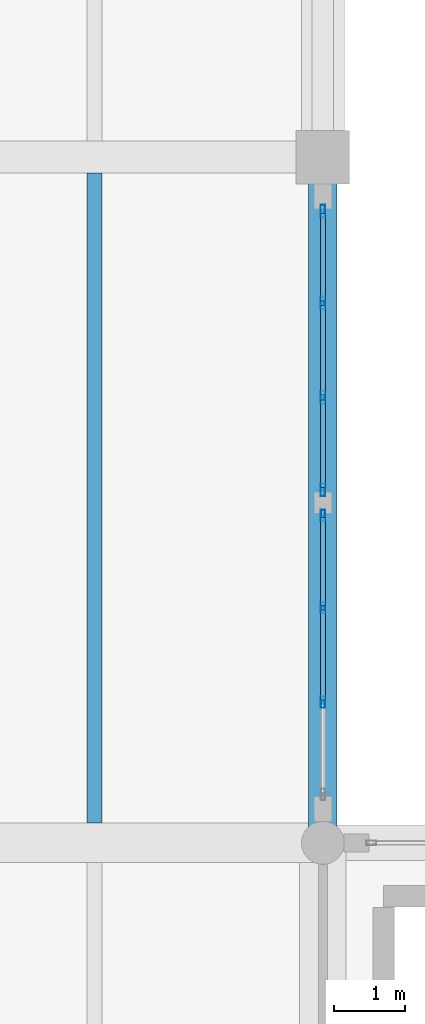
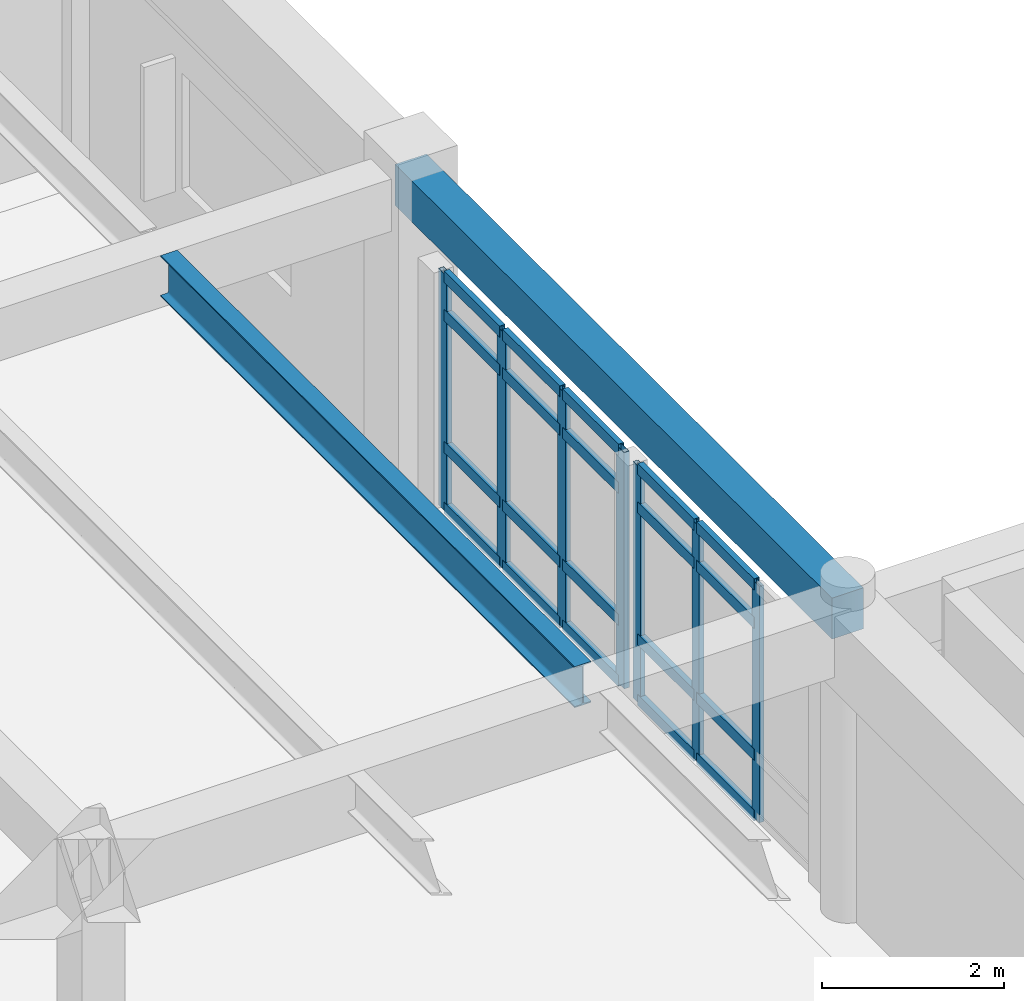
# One storey, part 12 of 109: 27 members, 2 beams, 2 elements without a shape of their own.
"""IFC4 building model written with IfcOpenShell, lengths in metres."""

from ifc_helpers import new_model, si_unit, direction, frame, origin, origin_2d, place, context, subcontext, project, spatial, rectangle, hollow_rectangle, i_section, extrude, material, layer, layer_set, material_profile, profile_set, type_object, element, aggregate, save


model = new_model("IFC4")

# Units and contexts
model_context = context("Model", 3, precision=1e-05, world=origin(), true_north=direction((0.0, 1.0)))
body_context = subcontext(model_context, "Body", "Model", "MODEL_VIEW")
ifc_project = project(units=[si_unit("LENGTHUNIT", "METRE"), si_unit("AREAUNIT", "SQUARE_METRE"), si_unit("VOLUMEUNIT", "CUBIC_METRE"), si_unit("PLANEANGLEUNIT", "RADIAN"), si_unit("MASSUNIT", "GRAM", prefix="KILO")], contexts=[model_context])

# Site, building, storey
site_placement = place(None, origin())
site = spatial("IfcSite", under=ifc_project, at=site_placement, CompositionType="ELEMENT")
building_placement = place(site_placement, origin())
building = spatial("IfcBuilding", under=site, at=building_placement, Name="Fikremerkos Civic Library", CompositionType="ELEMENT")
storey_placement = place(building_placement, frame((0.0, 0.0, 5.39990234375)))
storey = spatial("IfcBuildingStorey", under=building, at=storey_placement, Name="L01", CompositionType="ELEMENT", Elevation=5.39990234375)

# Curtain wall, members
ifc_material_1 = material(Name="Anodized aluminium Frame", Category="aluminium")
ifc_layer_1 = layer(ifc_material_1, 0.159912109375, Name="Anodized aluminium Frame")
ifc_layer_set_1 = layer_set([ifc_layer_1], Name="Anodized aluminium Frame")
curtain_wall_type_1 = type_object("IfcCurtainWallType", Name="Unitised curtain wall CW-01 3600x3600", PredefinedType="USERDEFINED", material=ifc_layer_set_1)
curtain_wall_1_placement = place(storey_placement, origin())
curtain_wall_1 = element("IfcCurtainWall", 1, at=curtain_wall_1_placement, inside=storey, type_object=curtain_wall_type_1, Name="Unitised curtain wall CW-01 L01 #73", ObjectType="UNITISED CURTAIN WALL", PredefinedType="USERDEFINED")
ifc_material_profile_1 = material_profile(ifc_material_1, hollow_rectangle(XDim=0.06494140625, YDim=0.179931640625, WallThickness=0.00439453125, at=origin_2d()), Name="ALU 180x65x4.5")
ifc_profile_set_1 = profile_set([ifc_material_profile_1], Name="Anodized aluminium Frame")
member_type_1 = type_object("IfcMemberType", Name="Curtain mullion CWM-01 ALU 180x65x4.5", PredefinedType="MULLION", material=ifc_profile_set_1)
member_1_placement = place(storey_placement, frame((19.199951171875, 40.04443359375, 0.0), z_axis=(0.0, 0.0, 1.0), x_axis=(1.0, 0.0, 0.0)))
member_1 = element("IfcMember", 2, at=member_1_placement, type_object=member_type_1, Name="CW-01 mullion 1", PredefinedType="MULLION", context=body_context, shape_type="SweptSolid", body=[
    extrude(hollow_rectangle(XDim=0.06494140625, YDim=0.179931640625, WallThickness=0.00439453125, at=origin_2d()), origin(), (0.0, 0.0, 1.0), 3.170166015625),
])
member_2_placement = place(storey_placement, frame((19.199951171875, 38.755615234375, 0.0), z_axis=(0.0, 0.0, 1.0), x_axis=(1.0, 0.0, 0.0)))
member_2 = element("IfcMember", 3, at=member_2_placement, type_object=member_type_1, Name="CW-01 mullion 2", PredefinedType="MULLION", context=body_context, shape_type="SweptSolid", body=[
    extrude(hollow_rectangle(XDim=0.06494140625, YDim=0.179931640625, WallThickness=0.00439453125, at=origin_2d()), origin(), (0.0, 0.0, 1.0), 3.170166015625),
])
member_3_placement = place(storey_placement, frame((19.199951171875, 37.43408203125, 0.0), z_axis=(0.0, 0.0, 1.0), x_axis=(1.0, 0.0, 0.0)))
member_3 = element("IfcMember", 4, at=member_3_placement, type_object=member_type_1, Name="CW-01 mullion 3", PredefinedType="MULLION", context=body_context, shape_type="SweptSolid", body=[
    extrude(hollow_rectangle(XDim=0.06494140625, YDim=0.179931640625, WallThickness=0.00439453125, at=origin_2d()), origin(), (0.0, 0.0, 1.0), 3.170166015625),
])
member_4_placement = place(storey_placement, frame((19.199951171875, 36.14501953125, 0.0), z_axis=(0.0, 0.0, 1.0), x_axis=(1.0, 0.0, 0.0)))
member_4 = element("IfcMember", 5, at=member_4_placement, type_object=member_type_1, Name="CW-01 mullion 4", PredefinedType="MULLION", context=body_context, shape_type="SweptSolid", body=[
    extrude(hollow_rectangle(XDim=0.06494140625, YDim=0.179931640625, WallThickness=0.00439453125, at=origin_2d()), origin(), (0.0, 0.0, 1.0), 3.170166015625),
])

ifc_layer_2 = layer(ifc_material_1, 0.159912109375, Name="Anodized aluminium Frame")
ifc_layer_set_2 = layer_set([ifc_layer_2], Name="Anodized aluminium Frame")
curtain_wall_type_2 = type_object("IfcCurtainWallType", Name="Unitised curtain wall CW-02 3900x3600", PredefinedType="USERDEFINED", material=ifc_layer_set_2)
curtain_wall_2_placement = place(storey_placement, origin())
curtain_wall_2 = element("IfcCurtainWall", 6, at=curtain_wall_2_placement, inside=storey, type_object=curtain_wall_type_2, Name="Unitised curtain wall CW-02 L01 #74", ObjectType="UNITISED CURTAIN WALL", PredefinedType="USERDEFINED")
ifc_material_profile_2 = material_profile(ifc_material_1, hollow_rectangle(XDim=0.06005859375, YDim=0.159912109375, WallThickness=0.00390625, at=origin_2d()), Name="ALU 160x60x4")
ifc_profile_set_2 = profile_set([ifc_material_profile_2], Name="Anodized aluminium Frame")
member_type_2 = type_object("IfcMemberType", Name="Curtain mullion CWM-02 ALU 160x60x4", PredefinedType="MULLION", material=ifc_profile_set_2)
member_5_placement = place(storey_placement, frame((19.199951171875, 35.782470703125, 0.0), z_axis=(0.0, 0.0, 1.0), x_axis=(1.0, 0.0, 0.0)))
member_5 = element("IfcMember", 7, at=member_5_placement, type_object=member_type_2, Name="CW-02 mullion 1", PredefinedType="MULLION", context=body_context, shape_type="SweptSolid", body=[
    extrude(hollow_rectangle(XDim=0.06005859375, YDim=0.159912109375, WallThickness=0.00390625, at=origin_2d()), origin(), (0.0, 0.0, 1.0), 3.170166015625),
])
member_6_placement = place(storey_placement, frame((19.199951171875, 34.490966796875, 0.0), z_axis=(0.0, 0.0, 1.0), x_axis=(1.0, 0.0, 0.0)))
member_6 = element("IfcMember", 8, at=member_6_placement, type_object=member_type_2, Name="CW-02 mullion 2", PredefinedType="MULLION", context=body_context, shape_type="SweptSolid", body=[
    extrude(hollow_rectangle(XDim=0.06005859375, YDim=0.159912109375, WallThickness=0.00390625, at=origin_2d()), origin(), (0.0, 0.0, 1.0), 3.170166015625),
])
member_7_placement = place(storey_placement, frame((19.199951171875, 33.16943359375, 0.0), z_axis=(0.0, 0.0, 1.0), x_axis=(1.0, 0.0, 0.0)))
member_7 = element("IfcMember", 9, at=member_7_placement, type_object=member_type_2, Name="CW-02 mullion 3", PredefinedType="MULLION", context=body_context, shape_type="SweptSolid", body=[
    extrude(hollow_rectangle(XDim=0.06005859375, YDim=0.159912109375, WallThickness=0.00390625, at=origin_2d()), origin(), (0.0, 0.0, 1.0), 3.170166015625),
])

# Member
ifc_material_profile_3 = material_profile(ifc_material_1, hollow_rectangle(XDim=0.070068359375, YDim=0.14990234375, WallThickness=0.00439453125, at=origin_2d()), Name="ALU 150x70x4.5")
ifc_profile_set_3 = profile_set([ifc_material_profile_3], Name="Anodized aluminium Frame")
member_type_3 = type_object("IfcMemberType", Name="Curtain transom CWT-01 ALU 150x70x4.5", PredefinedType="USERDEFINED", material=ifc_profile_set_3)
member_8_placement = place(storey_placement, frame((19.199951171875, 40.011962890625, 0.03515625), z_axis=(0.0, -1.0, 0.0), x_axis=(1.0, 0.0, 0.0)))
member_8 = element("IfcMember", 10, at=member_8_placement, type_object=member_type_3, Name="CW-01 transom 1.1", ObjectType="TRANSOM", PredefinedType="USERDEFINED", context=body_context, shape_type="SweptSolid", body=[
    extrude(hollow_rectangle(XDim=0.070068359375, YDim=0.14990234375, WallThickness=0.00439453125, at=origin_2d()), origin(), (0.0, 0.0, 1.0), 1.223876953125),
])

member_9_placement = place(storey_placement, frame((19.199951171875, 40.011962890625, 0.85009765625), z_axis=(0.0, -1.0, 0.0), x_axis=(1.0, 0.0, 0.0)))
member_9 = element("IfcMember", 11, at=member_9_placement, type_object=member_type_3, Name="CW-01 transom 1.2", ObjectType="TRANSOM", PredefinedType="USERDEFINED", context=body_context, shape_type="SweptSolid", body=[
    extrude(hollow_rectangle(XDim=0.070068359375, YDim=0.14990234375, WallThickness=0.00439453125, at=origin_2d()), origin(), (0.0, 0.0, 1.0), 1.223876953125),
])

member_10_placement = place(storey_placement, frame((19.199951171875, 40.011962890625, 2.6201171875), z_axis=(0.0, -1.0, 0.0), x_axis=(1.0, 0.0, 0.0)))
member_10 = element("IfcMember", 12, at=member_10_placement, type_object=member_type_3, Name="CW-01 transom 1.3", ObjectType="TRANSOM", PredefinedType="USERDEFINED", context=body_context, shape_type="SweptSolid", body=[
    extrude(hollow_rectangle(XDim=0.070068359375, YDim=0.14990234375, WallThickness=0.00439453125, at=origin_2d()), origin(), (0.0, 0.0, 1.0), 1.223876953125),
])

member_11_placement = place(storey_placement, frame((19.199951171875, 40.011962890625, 3.135009765625), z_axis=(0.0, -1.0, 0.0), x_axis=(1.0, 0.0, 0.0)))
member_11 = element("IfcMember", 13, at=member_11_placement, type_object=member_type_3, Name="CW-01 transom 1.4", ObjectType="TRANSOM", PredefinedType="USERDEFINED", context=body_context, shape_type="SweptSolid", body=[
    extrude(hollow_rectangle(XDim=0.070068359375, YDim=0.14990234375, WallThickness=0.00439453125, at=origin_2d()), origin(), (0.0, 0.0, 1.0), 1.223876953125),
])

member_12_placement = place(storey_placement, frame((19.199951171875, 38.722900390625, 0.03515625), z_axis=(0.0, -1.0, 0.0), x_axis=(1.0, 0.0, 0.0)))
member_12 = element("IfcMember", 14, at=member_12_placement, type_object=member_type_3, Name="CW-01 transom 2.1", ObjectType="TRANSOM", PredefinedType="USERDEFINED", context=body_context, shape_type="SweptSolid", body=[
    extrude(hollow_rectangle(XDim=0.070068359375, YDim=0.14990234375, WallThickness=0.00439453125, at=origin_2d()), origin(), (0.0, 0.0, 1.0), 1.25634765625),
])

member_13_placement = place(storey_placement, frame((19.199951171875, 38.722900390625, 0.85009765625), z_axis=(0.0, -1.0, 0.0), x_axis=(1.0, 0.0, 0.0)))
member_13 = element("IfcMember", 15, at=member_13_placement, type_object=member_type_3, Name="CW-01 transom 2.2", ObjectType="TRANSOM", PredefinedType="USERDEFINED", context=body_context, shape_type="SweptSolid", body=[
    extrude(hollow_rectangle(XDim=0.070068359375, YDim=0.14990234375, WallThickness=0.00439453125, at=origin_2d()), origin(), (0.0, 0.0, 1.0), 1.25634765625),
])

member_14_placement = place(storey_placement, frame((19.199951171875, 38.722900390625, 2.6201171875), z_axis=(0.0, -1.0, 0.0), x_axis=(1.0, 0.0, 0.0)))
member_14 = element("IfcMember", 16, at=member_14_placement, type_object=member_type_3, Name="CW-01 transom 2.3", ObjectType="TRANSOM", PredefinedType="USERDEFINED", context=body_context, shape_type="SweptSolid", body=[
    extrude(hollow_rectangle(XDim=0.070068359375, YDim=0.14990234375, WallThickness=0.00439453125, at=origin_2d()), origin(), (0.0, 0.0, 1.0), 1.25634765625),
])

member_15_placement = place(storey_placement, frame((19.199951171875, 38.722900390625, 3.135009765625), z_axis=(0.0, -1.0, 0.0), x_axis=(1.0, 0.0, 0.0)))
member_15 = element("IfcMember", 17, at=member_15_placement, type_object=member_type_3, Name="CW-01 transom 2.4", ObjectType="TRANSOM", PredefinedType="USERDEFINED", context=body_context, shape_type="SweptSolid", body=[
    extrude(hollow_rectangle(XDim=0.070068359375, YDim=0.14990234375, WallThickness=0.00439453125, at=origin_2d()), origin(), (0.0, 0.0, 1.0), 1.25634765625),
])

member_16_placement = place(storey_placement, frame((19.199951171875, 37.401611328125, 0.03515625), z_axis=(0.0, -1.0, 0.0), x_axis=(1.0, 0.0, 0.0)))
member_16 = element("IfcMember", 18, at=member_16_placement, type_object=member_type_3, Name="CW-01 transom 3.1", ObjectType="TRANSOM", PredefinedType="USERDEFINED", context=body_context, shape_type="SweptSolid", body=[
    extrude(hollow_rectangle(XDim=0.070068359375, YDim=0.14990234375, WallThickness=0.00439453125, at=origin_2d()), origin(), (0.0, 0.0, 1.0), 1.22412109375),
])

member_17_placement = place(storey_placement, frame((19.199951171875, 37.401611328125, 0.85009765625), z_axis=(0.0, -1.0, 0.0), x_axis=(1.0, 0.0, 0.0)))
member_17 = element("IfcMember", 19, at=member_17_placement, type_object=member_type_3, Name="CW-01 transom 3.2", ObjectType="TRANSOM", PredefinedType="USERDEFINED", context=body_context, shape_type="SweptSolid", body=[
    extrude(hollow_rectangle(XDim=0.070068359375, YDim=0.14990234375, WallThickness=0.00439453125, at=origin_2d()), origin(), (0.0, 0.0, 1.0), 1.22412109375),
])

member_18_placement = place(storey_placement, frame((19.199951171875, 37.401611328125, 2.6201171875), z_axis=(0.0, -1.0, 0.0), x_axis=(1.0, 0.0, 0.0)))
member_18 = element("IfcMember", 20, at=member_18_placement, type_object=member_type_3, Name="CW-01 transom 3.3", ObjectType="TRANSOM", PredefinedType="USERDEFINED", context=body_context, shape_type="SweptSolid", body=[
    extrude(hollow_rectangle(XDim=0.070068359375, YDim=0.14990234375, WallThickness=0.00439453125, at=origin_2d()), origin(), (0.0, 0.0, 1.0), 1.22412109375),
])

member_19_placement = place(storey_placement, frame((19.199951171875, 37.401611328125, 3.135009765625), z_axis=(0.0, -1.0, 0.0), x_axis=(1.0, 0.0, 0.0)))
member_19 = element("IfcMember", 21, at=member_19_placement, type_object=member_type_3, Name="CW-01 transom 3.4", ObjectType="TRANSOM", PredefinedType="USERDEFINED", context=body_context, shape_type="SweptSolid", body=[
    extrude(hollow_rectangle(XDim=0.070068359375, YDim=0.14990234375, WallThickness=0.00439453125, at=origin_2d()), origin(), (0.0, 0.0, 1.0), 1.22412109375),
])

aggregate(curtain_wall_1, [member_1, member_2, member_3, member_4, member_8, member_9, member_10, member_11, member_12, member_13, member_14, member_15, member_16, member_17, member_18, member_19])

member_20_placement = place(storey_placement, frame((19.199951171875, 35.75244140625, 0.03515625), z_axis=(0.0, -1.0, 0.0), x_axis=(1.0, 0.0, 0.0)))
member_20 = element("IfcMember", 22, at=member_20_placement, type_object=member_type_3, Name="CW-02 transom 1.1", ObjectType="TRANSOM", PredefinedType="USERDEFINED", context=body_context, shape_type="SweptSolid", body=[
    extrude(hollow_rectangle(XDim=0.070068359375, YDim=0.14990234375, WallThickness=0.00439453125, at=origin_2d()), origin(), (0.0, 0.0, 1.0), 1.2314453125),
])

member_21_placement = place(storey_placement, frame((19.199951171875, 35.75244140625, 0.85009765625), z_axis=(0.0, -1.0, 0.0), x_axis=(1.0, 0.0, 0.0)))
member_21 = element("IfcMember", 23, at=member_21_placement, type_object=member_type_3, Name="CW-02 transom 1.2", ObjectType="TRANSOM", PredefinedType="USERDEFINED", context=body_context, shape_type="SweptSolid", body=[
    extrude(hollow_rectangle(XDim=0.070068359375, YDim=0.14990234375, WallThickness=0.00439453125, at=origin_2d()), origin(), (0.0, 0.0, 1.0), 1.2314453125),
])

member_22_placement = place(storey_placement, frame((19.199951171875, 35.75244140625, 2.6201171875), z_axis=(0.0, -1.0, 0.0), x_axis=(1.0, 0.0, 0.0)))
member_22 = element("IfcMember", 24, at=member_22_placement, type_object=member_type_3, Name="CW-02 transom 1.3", ObjectType="TRANSOM", PredefinedType="USERDEFINED", context=body_context, shape_type="SweptSolid", body=[
    extrude(hollow_rectangle(XDim=0.070068359375, YDim=0.14990234375, WallThickness=0.00439453125, at=origin_2d()), origin(), (0.0, 0.0, 1.0), 1.2314453125),
])

member_23_placement = place(storey_placement, frame((19.199951171875, 35.75244140625, 3.135009765625), z_axis=(0.0, -1.0, 0.0), x_axis=(1.0, 0.0, 0.0)))
member_23 = element("IfcMember", 25, at=member_23_placement, type_object=member_type_3, Name="CW-02 transom 1.4", ObjectType="TRANSOM", PredefinedType="USERDEFINED", context=body_context, shape_type="SweptSolid", body=[
    extrude(hollow_rectangle(XDim=0.070068359375, YDim=0.14990234375, WallThickness=0.00439453125, at=origin_2d()), origin(), (0.0, 0.0, 1.0), 1.2314453125),
])

member_24_placement = place(storey_placement, frame((19.199951171875, 34.4609375, 0.03515625), z_axis=(0.0, -1.0, 0.0), x_axis=(1.0, 0.0, 0.0)))
member_24 = element("IfcMember", 26, at=member_24_placement, type_object=member_type_3, Name="CW-02 transom 2.1", ObjectType="TRANSOM", PredefinedType="USERDEFINED", context=body_context, shape_type="SweptSolid", body=[
    extrude(hollow_rectangle(XDim=0.070068359375, YDim=0.14990234375, WallThickness=0.00439453125, at=origin_2d()), origin(), (0.0, 0.0, 1.0), 1.261474609375),
])

member_25_placement = place(storey_placement, frame((19.199951171875, 34.4609375, 0.85009765625), z_axis=(0.0, -1.0, 0.0), x_axis=(1.0, 0.0, 0.0)))
member_25 = element("IfcMember", 27, at=member_25_placement, type_object=member_type_3, Name="CW-02 transom 2.2", ObjectType="TRANSOM", PredefinedType="USERDEFINED", context=body_context, shape_type="SweptSolid", body=[
    extrude(hollow_rectangle(XDim=0.070068359375, YDim=0.14990234375, WallThickness=0.00439453125, at=origin_2d()), origin(), (0.0, 0.0, 1.0), 1.261474609375),
])

member_26_placement = place(storey_placement, frame((19.199951171875, 34.4609375, 2.6201171875), z_axis=(0.0, -1.0, 0.0), x_axis=(1.0, 0.0, 0.0)))
member_26 = element("IfcMember", 28, at=member_26_placement, type_object=member_type_3, Name="CW-02 transom 2.3", ObjectType="TRANSOM", PredefinedType="USERDEFINED", context=body_context, shape_type="SweptSolid", body=[
    extrude(hollow_rectangle(XDim=0.070068359375, YDim=0.14990234375, WallThickness=0.00439453125, at=origin_2d()), origin(), (0.0, 0.0, 1.0), 1.261474609375),
])

member_27_placement = place(storey_placement, frame((19.199951171875, 34.4609375, 3.135009765625), z_axis=(0.0, -1.0, 0.0), x_axis=(1.0, 0.0, 0.0)))
member_27 = element("IfcMember", 29, at=member_27_placement, type_object=member_type_3, Name="CW-02 transom 2.4", ObjectType="TRANSOM", PredefinedType="USERDEFINED", context=body_context, shape_type="SweptSolid", body=[
    extrude(hollow_rectangle(XDim=0.070068359375, YDim=0.14990234375, WallThickness=0.00439453125, at=origin_2d()), origin(), (0.0, 0.0, 1.0), 1.261474609375),
])

aggregate(curtain_wall_2, [member_5, member_6, member_7, member_20, member_21, member_22, member_23, member_24, member_25, member_26, member_27])

# Beams
ifc_material_2 = material(Name="Steel S355", Category="steel")
ifc_material_profile_4 = material_profile(ifc_material_2, i_section(OverallWidth=0.2099609375, OverallDepth=0.550048828125, WebThickness=0.010986328125, FlangeThickness=0.01708984375, FilletRadius=0.02392578125, at=origin_2d()), Name="IPE 550")
ifc_profile_set_4 = profile_set([ifc_material_profile_4], Name="Steel S355")
beam_type_1 = type_object("IfcBeamType", Name="Floor joist JS-05 IPE 550", PredefinedType="JOIST", material=ifc_profile_set_4)
beam_1_placement = place(storey_placement, frame((16.0, 31.47509765625, 3.945068359375), z_axis=(0.0, 1.0, 0.0), x_axis=(-1.0, 0.0, 0.0)))
element("IfcBeam", 30, at=beam_1_placement, inside=storey, type_object=beam_type_1, Name="Floor joist JS-05 L01 #409", PredefinedType="JOIST", context=body_context, shape_type="SweptSolid", body=[
    extrude(i_section(OverallWidth=0.2099609375, OverallDepth=0.550048828125, WebThickness=0.010986328125, FlangeThickness=0.01708984375, FilletRadius=0.02392578125, at=origin_2d()), origin(), (0.0, 0.0, 1.0), 9.099853515625),
])
ifc_material_3 = material(Name="Concrete C40/50", Category="concrete")
ifc_material_profile_5 = material_profile(ifc_material_3, rectangle(XDim=0.39990234375, YDim=0.550048828125, at=origin_2d()), Name="RC 400x550")
ifc_profile_set_5 = profile_set([ifc_material_profile_5], Name="Concrete C40/50")
beam_type_2 = type_object("IfcBeamType", Name="Primary girder BM-26 RC 400x550", PredefinedType="BEAM", material=ifc_profile_set_5)
beam_2_placement = place(storey_placement, frame((19.199951171875, 31.199951171875, 3.945068359375), z_axis=(0.0, 1.0, 0.0), x_axis=(-1.0, 0.0, 0.0)))
element("IfcBeam", 31, at=beam_2_placement, inside=storey, type_object=beam_type_2, Name="Primary girder BM-26 L01 grid 3", PredefinedType="BEAM", context=body_context, shape_type="SweptSolid", body=[
    extrude(rectangle(XDim=0.39990234375, YDim=0.550048828125, at=origin_2d()), origin(), (0.0, 0.0, 1.0), 9.60009765625),
])

save(model, "model.ifc")
